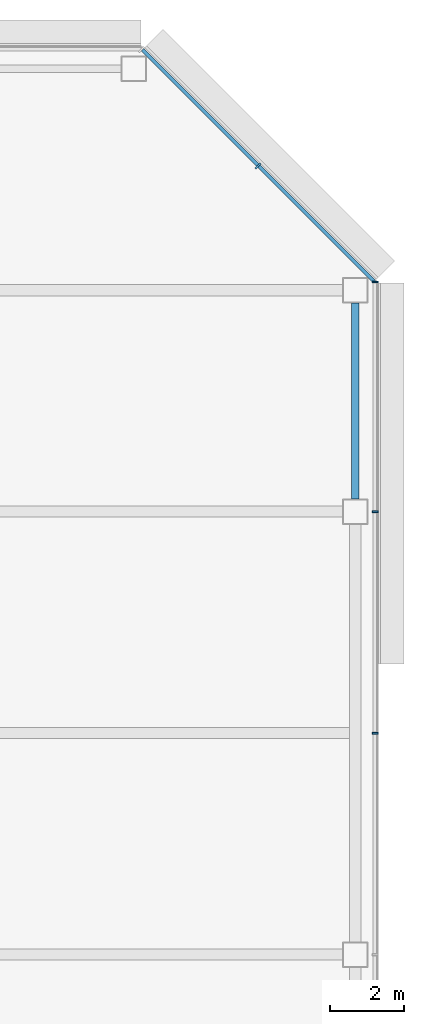
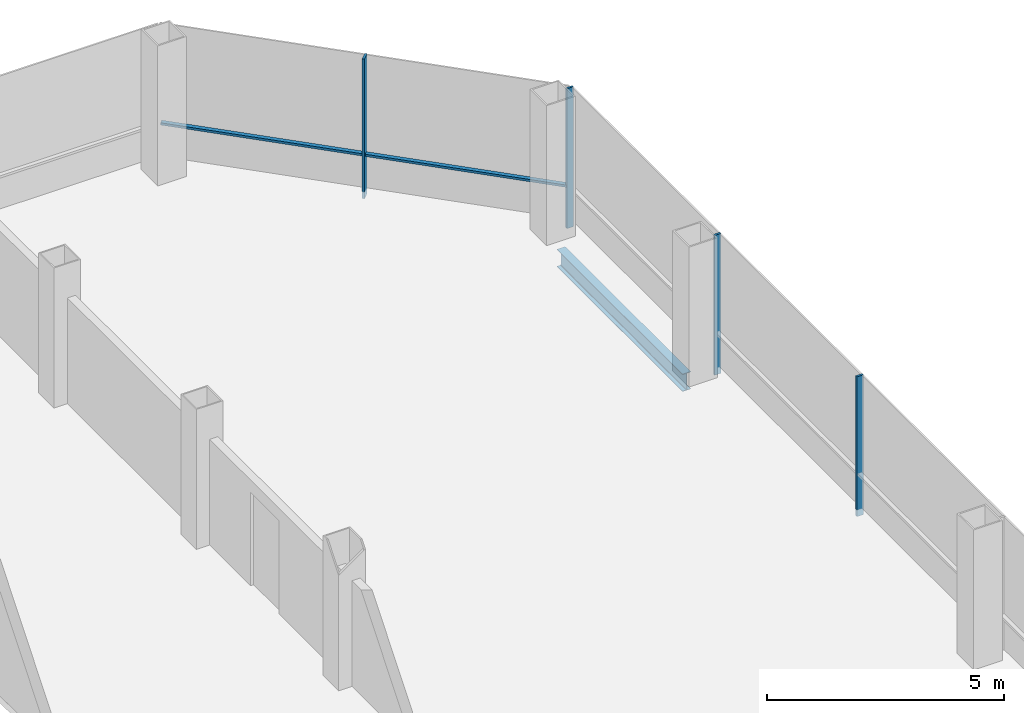
# One storey, part 17 of 24: 5 members, 1 beam, 2 elements without a shape of their own.
"""IFC4 building model written with IfcOpenShell, lengths in metres."""

from ifc_helpers import new_model, si_unit, direction, frame, origin, origin_2d, place, context, subcontext, project, spatial, rectangle, i_section, extrude, material, material_profile, profile_set, type_object, element, aggregate, save


model = new_model("IFC4")

# Units and contexts
model_context = context("Model", 3, precision=1e-05, world=origin(), true_north=direction((0.0, 1.0)))
body_context = subcontext(model_context, "Body", "Model", "MODEL_VIEW")
ifc_project = project(units=[si_unit("LENGTHUNIT", "METRE"), si_unit("AREAUNIT", "SQUARE_METRE"), si_unit("VOLUMEUNIT", "CUBIC_METRE"), si_unit("PLANEANGLEUNIT", "RADIAN"), si_unit("MASSUNIT", "GRAM", prefix="KILO")], contexts=[model_context])

# Site, building, storey
site_placement = place(None, origin())
site = spatial("IfcSite", under=ifc_project, at=site_placement, CompositionType="ELEMENT")
building_placement = place(site_placement, origin())
building = spatial("IfcBuilding", under=site, at=building_placement, Name="Sorahane Residences", CompositionType="ELEMENT")
storey_placement = place(building_placement, frame((0.0, 0.0, 170.800048828125)))
storey = spatial("IfcBuildingStorey", under=building, at=storey_placement, Name="L39", CompositionType="ELEMENT", Elevation=170.800048828125)

# Curtain wall, members
ifc_material_1 = material(Name="Dark low-e glass and black anodised aluminium", Category="aluminium")
curtain_wall_type_1 = type_object("IfcCurtainWallType", Name="Curtain wall CW-1 Typical unitised wall", PredefinedType="NOTDEFINED", material=ifc_material_1)
curtain_wall_1_placement = place(storey_placement, origin())
curtain_wall_1 = element("IfcCurtainWall", 1, at=curtain_wall_1_placement, inside=storey, type_object=curtain_wall_type_1, Name="CW-1 curtain wall L39 E1", PredefinedType="NOTDEFINED")
ifc_material_2 = material(Name="Black anodised aluminium", Category="aluminium")
ifc_material_profile_1 = material_profile(ifc_material_2, rectangle(XDim=0.159912109375, YDim=0.050048828125, at=origin_2d()), Name="Curtain wall mullion CW-1 black anodised aluminium 50x160")
ifc_profile_set_1 = profile_set([ifc_material_profile_1], Name="Black anodised aluminium")
member_type_1 = type_object("IfcMemberType", Name="Curtain wall mullion CW-1 black anodised aluminium 50x160", PredefinedType="MULLION", material=ifc_profile_set_1)
member_1_placement = place(storey_placement, frame((60.5400390625, 30.0, -0.179931640625), z_axis=(0.0, 0.0, 1.0), x_axis=(1.0, 0.0, 0.0)))
member_1 = element("IfcMember", 2, at=member_1_placement, type_object=member_type_1, Name="CW-1 mullion L39 E1.5", PredefinedType="MULLION", context=body_context, shape_type="SweptSolid", body=[
    extrude(rectangle(XDim=0.159912109375, YDim=0.050048828125, at=origin_2d()), origin(), (0.0, 0.0, 1.0), 3.599853515625),
])
member_2_placement = place(storey_placement, frame((60.5400390625, 36.0, -0.179931640625), z_axis=(0.0, 0.0, 1.0), x_axis=(1.0, 0.0, 0.0)))
member_2 = element("IfcMember", 3, at=member_2_placement, type_object=member_type_1, Name="CW-1 mullion L39 E1.6", PredefinedType="MULLION", context=body_context, shape_type="SweptSolid", body=[
    extrude(rectangle(XDim=0.159912109375, YDim=0.050048828125, at=origin_2d()), origin(), (0.0, 0.0, 1.0), 3.599853515625),
])
member_3_placement = place(storey_placement, frame((60.5400390625, 42.2236328125, -0.179931640625), z_axis=(0.0, 0.0, 1.0), x_axis=(1.0, 0.0, 0.0)))
member_3 = element("IfcMember", 4, at=member_3_placement, type_object=member_type_1, Name="CW-1 mullion L39 E1.7", PredefinedType="MULLION", context=body_context, shape_type="SweptSolid", body=[
    extrude(rectangle(XDim=0.159912109375, YDim=0.050048828125, at=origin_2d()), origin(), (0.0, 0.0, 1.0), 3.599853515625),
])
aggregate(curtain_wall_1, [member_1, member_2, member_3])

ifc_material_3 = material(Name="Dark low-e glass and black anodised aluminium", Category="aluminium")
curtain_wall_type_2 = type_object("IfcCurtainWallType", Name="Curtain wall CW-2 Chamfer unitised wall", PredefinedType="NOTDEFINED", material=ifc_material_3)
curtain_wall_2_placement = place(storey_placement, origin())
curtain_wall_2 = element("IfcCurtainWall", 5, at=curtain_wall_2_placement, inside=storey, type_object=curtain_wall_type_2, Name="CW-2 curtain wall L39 NE1", PredefinedType="NOTDEFINED")
ifc_material_4 = material(Name="Black anodised aluminium", Category="aluminium")
ifc_material_profile_2 = material_profile(ifc_material_4, rectangle(XDim=0.199951171875, YDim=0.050048828125, at=origin_2d()), Name="Curtain wall mullion CW-2 black anodised aluminium 50x200")
ifc_profile_set_2 = profile_set([ifc_material_profile_2], Name="Black anodised aluminium")
member_type_2 = type_object("IfcMemberType", Name="Curtain wall mullion CW-2 black anodised aluminium 50x200", PredefinedType="MULLION", material=ifc_profile_set_2)
member_4_placement = place(storey_placement, frame((57.36767578125, 45.36767578125, -0.179931640625), z_axis=(0.0, 0.0, 1.0), x_axis=(0.707106781187, 0.707106781187, 0.0)))
member_4 = element("IfcMember", 6, at=member_4_placement, type_object=member_type_2, Name="CW-2 mullion L39 NE1.2", PredefinedType="MULLION", context=body_context, shape_type="SweptSolid", body=[
    extrude(rectangle(XDim=0.199951171875, YDim=0.050048828125, at=origin_2d()), origin(), (0.0, 0.0, 1.0), 3.599853515625),
])
ifc_material_5 = material(Name="Black anodised aluminium", Category="aluminium")
ifc_material_profile_3 = material_profile(ifc_material_5, rectangle(XDim=0.10009765625, YDim=0.06005859375, at=origin_2d()), Name="Curtain wall transom CW-2 black anodised aluminium 60x100")
ifc_profile_set_3 = profile_set([ifc_material_profile_3], Name="Black anodised aluminium")
member_type_3 = type_object("IfcMemberType", Name="Curtain wall transom CW-2 black anodised aluminium 60x100", PredefinedType="USERDEFINED", material=ifc_profile_set_3)
member_5_placement = place(storey_placement, frame((60.51513671875, 42.234375, 0.89990234375), z_axis=(-0.707106781187, 0.707106781187, 0.0), x_axis=(-0.707106781187, -0.707106781187, 0.0)))
member_5 = element("IfcMember", 7, at=member_5_placement, type_object=member_type_3, Name="CW-2 transom L39 NE1", ObjectType="TRANSOM", PredefinedType="USERDEFINED", context=body_context, shape_type="SweptSolid", body=[
    extrude(rectangle(XDim=0.10009765625, YDim=0.06005859375, at=origin_2d()), origin(), (0.0, 0.0, 1.0), 8.88232421875),
])
aggregate(curtain_wall_2, [member_4, member_5])

# Beam
ifc_material_6 = material(Name="Steel Q355B", Category="steel")
ifc_material_profile_4 = material_profile(ifc_material_6, i_section(OverallWidth=0.199951171875, OverallDepth=0.449951171875, WebThickness=0.009033203125, FlangeThickness=0.013916015625, FilletRadius=0.02001953125, at=origin_2d()), Name="HN 450x200x9x14")
ifc_profile_set_4 = profile_set([ifc_material_profile_4], Name="Steel Q355B")
beam_type = type_object("IfcBeamType", Name="Steel floor beam HN 450x200x9x14 Q355B", PredefinedType="BEAM", material=ifc_profile_set_4)
beam_placement = place(storey_placement, frame((60.0, 36.35009765625, -0.405029296875), z_axis=(0.0, 1.0, 0.0), x_axis=(-1.0, 0.0, 0.0)))
element("IfcBeam", 8, at=beam_placement, inside=storey, type_object=beam_type, Name="Beam L39 067", PredefinedType="BEAM", context=body_context, shape_type="SweptSolid", body=[
    extrude(i_section(OverallWidth=0.199951171875, OverallDepth=0.449951171875, WebThickness=0.009033203125, FlangeThickness=0.013916015625, FilletRadius=0.02001953125, at=origin_2d()), origin(), (0.0, 0.0, 1.0), 5.2998046875),
])

save(model, "model.ifc")
